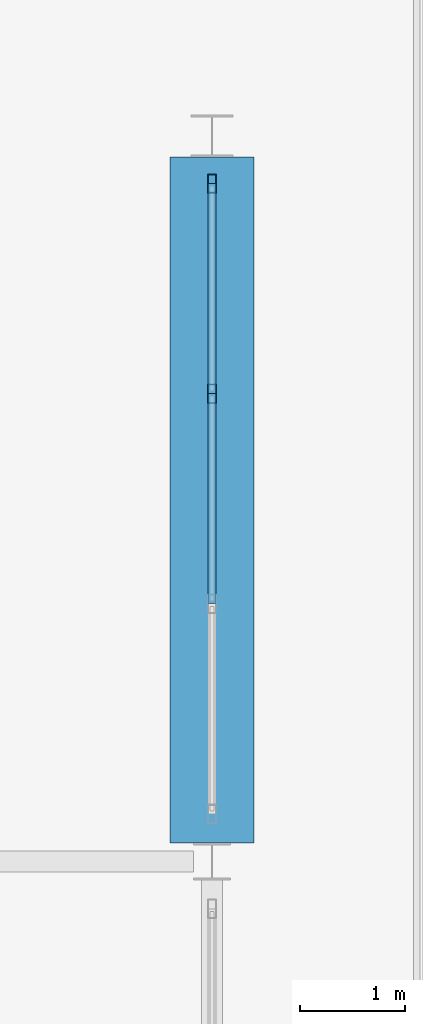
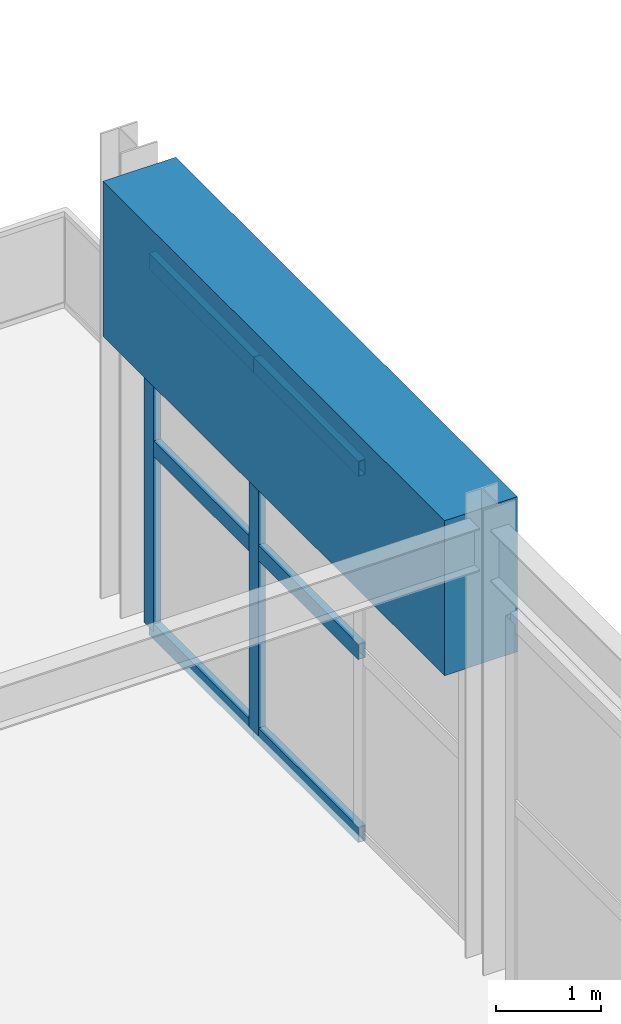
# One storey, part 29 of 117: 8 members, 1 beam, 1 element without a shape of its own.
"""IFC4 building model written with IfcOpenShell, lengths in metres."""

from ifc_helpers import new_model, si_unit, direction, frame, origin, origin_2d, place, context, subcontext, project, spatial, rectangle, hollow_rectangle, extrude, material, material_profile, profile_set, type_object, element, aggregate, save


model = new_model("IFC4")

# Units and contexts
model_context = context("Model", 3, precision=1e-05, world=origin(), true_north=direction((0.0, 1.0)))
body_context = subcontext(model_context, "Body", "Model", "MODEL_VIEW")
ifc_project = project(units=[si_unit("LENGTHUNIT", "METRE"), si_unit("AREAUNIT", "SQUARE_METRE"), si_unit("VOLUMEUNIT", "CUBIC_METRE"), si_unit("PLANEANGLEUNIT", "RADIAN"), si_unit("MASSUNIT", "GRAM", prefix="KILO")], contexts=[model_context])

# Site, building, storey
site_placement = place(None, origin())
site = spatial("IfcSite", under=ifc_project, at=site_placement, CompositionType="ELEMENT")
building_placement = place(site_placement, origin())
building = spatial("IfcBuilding", under=site, at=building_placement, Name="Linyun Crest Stadium", CompositionType="ELEMENT")
storey_placement = place(building_placement, frame((0.0, 0.0, 6.0)))
storey = spatial("IfcBuildingStorey", under=building, at=storey_placement, Name="L02", CompositionType="ELEMENT", Elevation=6.0)

# Beam
ifc_material_1 = material(Name="Concrete C50", Category="concrete")
ifc_material_profile_1 = material_profile(ifc_material_1, rectangle(XDim=0.800048828125, YDim=1.800048828125, at=origin_2d()), Name="RCB 1800x800")
ifc_profile_set_1 = profile_set([ifc_material_profile_1], Name="Concrete C50")
beam_type = type_object("IfcBeamType", Name="B14", PredefinedType="BEAM", material=ifc_profile_set_1)
beam_placement = place(storey_placement, frame((-58.0, -73.324951171875, 4.25), z_axis=(0.0, 1.0, 0.0), x_axis=(-1.0, 0.0, 0.0)))
element("IfcBeam", 1, at=beam_placement, inside=storey, type_object=beam_type, Name="Frame beam B14 L02 1109", PredefinedType="BEAM", context=body_context, shape_type="SweptSolid", body=[
    extrude(rectangle(XDim=0.800048828125, YDim=1.800048828125, at=origin_2d()), origin(), (0.0, 0.0, 1.0), 6.5),
])

# Curtain wall, members
ifc_material_2 = material(Name="Verdigris steel and low-E curtain wall assembly", Category="steel")
curtain_wall_type = type_object("IfcCurtainWallType", Name="MCW05", PredefinedType="NOTDEFINED", material=ifc_material_2)
curtain_wall_placement = place(storey_placement, origin())
curtain_wall = element("IfcCurtainWall", 2, at=curtain_wall_placement, inside=storey, type_object=curtain_wall_type, Name="CWR-160", PredefinedType="NOTDEFINED")
ifc_material_3 = material(Name="Verdigris painted steel Q355B mullion", Category="steel")
ifc_material_profile_2 = material_profile(ifc_material_3, hollow_rectangle(XDim=0.080078125, YDim=0.179931640625, WallThickness=0.006103515625, at=origin_2d()), Name="RHS 180x80x6")
ifc_profile_set_2 = profile_set([ifc_material_profile_2], Name="Verdigris painted steel Q355B mullion")
member_type_1 = type_object("IfcMemberType", Name="ML02", PredefinedType="MULLION", material=ifc_profile_set_2)
member_1_placement = place(storey_placement, frame((-58.0, -69.06689453125, 0.0), z_axis=(0.0, 0.0, 1.0), x_axis=(-1.0, 0.0, 0.0)))
member_1 = element("IfcMember", 3, at=member_1_placement, type_object=member_type_1, Name="CWR-160 mullion 3", PredefinedType="MULLION", context=body_context, shape_type="SweptSolid", body=[
    extrude(hollow_rectangle(XDim=0.080078125, YDim=0.179931640625, WallThickness=0.006103515625, at=origin_2d()), origin(), (0.0, 0.0, 1.0), 4.25),
])
member_2_placement = place(storey_placement, frame((-58.0, -67.074951171875, 0.0), z_axis=(0.0, 0.0, 1.0), x_axis=(-1.0, 0.0, 0.0)))
member_2 = element("IfcMember", 4, at=member_2_placement, type_object=member_type_1, Name="CWR-160 mullion 4", PredefinedType="MULLION", context=body_context, shape_type="SweptSolid", body=[
    extrude(hollow_rectangle(XDim=0.080078125, YDim=0.179931640625, WallThickness=0.006103515625, at=origin_2d()), origin(), (0.0, 0.0, 1.0), 4.25),
])
ifc_material_4 = material(Name="Verdigris painted steel Q355B transom", Category="steel")
ifc_material_profile_3 = material_profile(ifc_material_4, hollow_rectangle(XDim=0.080078125, YDim=0.179931640625, WallThickness=0.006103515625, at=origin_2d()), Name="RHS 180x80x6")
ifc_profile_set_3 = profile_set([ifc_material_profile_3], Name="Verdigris painted steel Q355B transom")
member_type_2 = type_object("IfcMemberType", Name="TR02", PredefinedType="USERDEFINED", material=ifc_profile_set_3)
member_3_placement = place(storey_placement, frame((-58.0, -71.05810546875, 0.0), z_axis=(0.0, 1.0, 0.0), x_axis=(-1.0, 0.0, 0.0)))
member_3 = element("IfcMember", 5, at=member_3_placement, type_object=member_type_2, Name="CWR-160 transom 2.1", ObjectType="TRANSOM", PredefinedType="USERDEFINED", context=body_context, shape_type="SweptSolid", body=[
    extrude(hollow_rectangle(XDim=0.080078125, YDim=0.179931640625, WallThickness=0.006103515625, at=origin_2d()), origin(), (0.0, 0.0, 1.0), 1.9912109375),
])
member_4_placement = place(storey_placement, frame((-58.0, -71.05810546875, 2.125), z_axis=(0.0, 1.0, 0.0), x_axis=(-1.0, 0.0, 0.0)))
member_4 = element("IfcMember", 6, at=member_4_placement, type_object=member_type_2, Name="CWR-160 transom 2.2", ObjectType="TRANSOM", PredefinedType="USERDEFINED", context=body_context, shape_type="SweptSolid", body=[
    extrude(hollow_rectangle(XDim=0.080078125, YDim=0.179931640625, WallThickness=0.006103515625, at=origin_2d()), origin(), (0.0, 0.0, 1.0), 1.9912109375),
])
member_5_placement = place(storey_placement, frame((-58.0, -71.05810546875, 4.25), z_axis=(0.0, 1.0, 0.0), x_axis=(-1.0, 0.0, 0.0)))
member_5 = element("IfcMember", 7, at=member_5_placement, type_object=member_type_2, Name="CWR-160 transom 2.3", ObjectType="TRANSOM", PredefinedType="USERDEFINED", context=body_context, shape_type="SweptSolid", body=[
    extrude(hollow_rectangle(XDim=0.080078125, YDim=0.179931640625, WallThickness=0.006103515625, at=origin_2d()), origin(), (0.0, 0.0, 1.0), 1.9912109375),
])
member_6_placement = place(storey_placement, frame((-58.0, -69.06689453125, 0.0), z_axis=(0.0, 1.0, 0.0), x_axis=(-1.0, 0.0, 0.0)))
member_6 = element("IfcMember", 8, at=member_6_placement, type_object=member_type_2, Name="CWR-160 transom 3.1", ObjectType="TRANSOM", PredefinedType="USERDEFINED", context=body_context, shape_type="SweptSolid", body=[
    extrude(hollow_rectangle(XDim=0.080078125, YDim=0.179931640625, WallThickness=0.006103515625, at=origin_2d()), origin(), (0.0, 0.0, 1.0), 1.991943359375),
])
member_7_placement = place(storey_placement, frame((-58.0, -69.06689453125, 2.125), z_axis=(0.0, 1.0, 0.0), x_axis=(-1.0, 0.0, 0.0)))
member_7 = element("IfcMember", 9, at=member_7_placement, type_object=member_type_2, Name="CWR-160 transom 3.2", ObjectType="TRANSOM", PredefinedType="USERDEFINED", context=body_context, shape_type="SweptSolid", body=[
    extrude(hollow_rectangle(XDim=0.080078125, YDim=0.179931640625, WallThickness=0.006103515625, at=origin_2d()), origin(), (0.0, 0.0, 1.0), 1.991943359375),
])
member_8_placement = place(storey_placement, frame((-58.0, -69.06689453125, 4.25), z_axis=(0.0, 1.0, 0.0), x_axis=(-1.0, 0.0, 0.0)))
member_8 = element("IfcMember", 10, at=member_8_placement, type_object=member_type_2, Name="CWR-160 transom 3.3", ObjectType="TRANSOM", PredefinedType="USERDEFINED", context=body_context, shape_type="SweptSolid", body=[
    extrude(hollow_rectangle(XDim=0.080078125, YDim=0.179931640625, WallThickness=0.006103515625, at=origin_2d()), origin(), (0.0, 0.0, 1.0), 1.991943359375),
])
aggregate(curtain_wall, [member_1, member_2, member_3, member_4, member_5, member_6, member_7, member_8])

save(model, "model.ifc")
